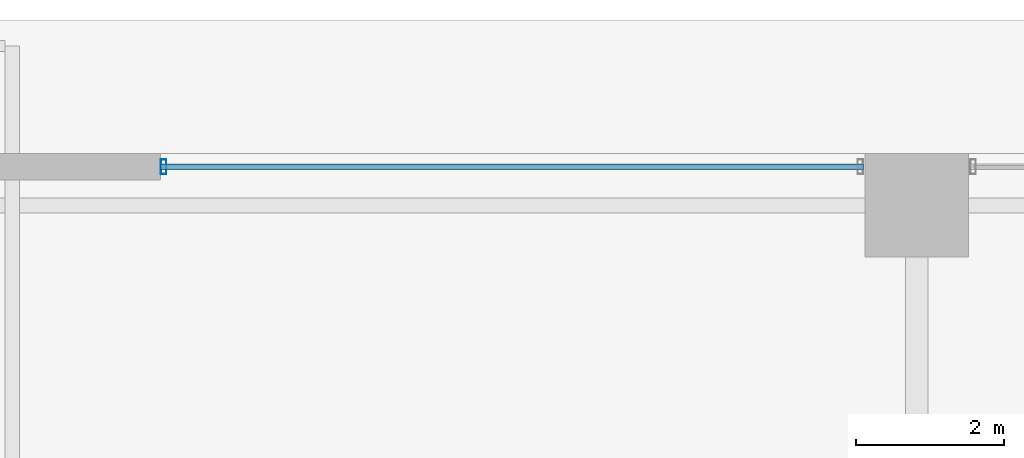
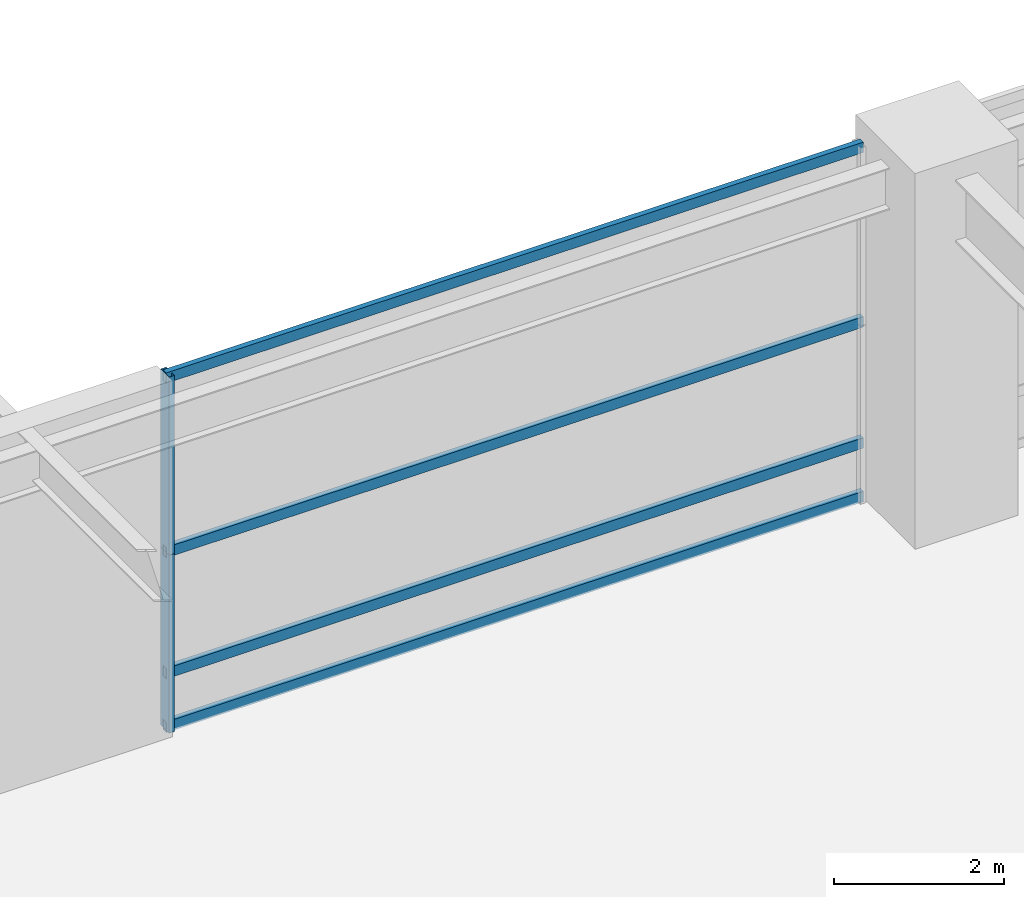
# One storey, part 14 of 32: 6 members, 1 element without a shape of its own.
"""IFC4 building model written with IfcOpenShell, lengths in metres."""

import ifcopenshell
import ifcopenshell.guid

model = None  # the IFC model being written
_history = None  # IfcOwnerHistory: only IFC2X3 demands one
_inside = {}  # id of a spatial element -> (the spatial element, [elements in it])
_under = {}  # id of a project, library or spatial element -> (it, [spatial elements below it])
_declared = {}  # id of a project -> (the project, [libraries it declares])
_typed = {}  # id of a type object -> (the type object, [elements of that type])
_made_of = {}  # id of a material, layer set ... -> (it, [elements and type objects made of it])


def new_model(schema):
    """Start an empty IFC model of exactly this schema.

    Asked for "IFC4X3", IfcOpenShell would pick the latest addendum, in which some entities
    have other attributes; the version numbers below select the first issue.
    IFC2X3 requires an IfcOwnerHistory on every rooted entity: one is made here for all.
    """
    global model, _history
    if schema == "IFC4X3":
        model = ifcopenshell.file(schema_version=(4, 3, 0, 0))
    else:
        model = ifcopenshell.file(schema=schema)
    _inside.clear()
    _under.clear()
    _declared.clear()
    _typed.clear()
    _made_of.clear()
    _history = None
    if model.schema == "IFC2X3":
        org = make("IfcOrganization", Name="unknown")
        user = make(
            "IfcPersonAndOrganization",
            ThePerson=make("IfcPerson", FamilyName="unknown"),
            TheOrganization=org,
        )
        app = make(
            "IfcApplication",
            ApplicationDeveloper=org,
            Version="unknown",
            ApplicationFullName="unknown",
            ApplicationIdentifier="unknown",
        )
        _history = make(
            "IfcOwnerHistory",
            OwningUser=user,
            OwningApplication=app,
            ChangeAction="ADDED",
            CreationDate=0,
        )
    return model


def make(cls, **values):
    """One entity of the class cls with the attributes given. An attribute that is None is left unset."""
    return model.create_entity(
        cls, **{name: value for name, value in values.items() if value is not None}
    )


def rooted(cls, **values):
    """An entity with a GlobalId (a new one), such as an element, a storey or a relation."""
    return make(cls, GlobalId=ifcopenshell.guid.new(), OwnerHistory=_history, **values)


def si_unit(unit_type, name, prefix=None):
    """IfcSIUnit, for example si_unit("LENGTHUNIT", "METRE", prefix="MILLI")."""
    return make("IfcSIUnit", UnitType=unit_type, Prefix=prefix, Name=name)


def assignment(units):
    """IfcUnitAssignment: the units of a project."""
    return None if units is None else make("IfcUnitAssignment", Units=units)


def point(xyz):
    """IfcCartesianPoint."""
    return None if xyz is None else make("IfcCartesianPoint", Coordinates=xyz)


def direction(xyz):
    """IfcDirection."""
    return None if xyz is None else make("IfcDirection", DirectionRatios=xyz)


def frame(location, z_axis=None, x_axis=None):
    """IfcAxis2Placement3D, a coordinate frame: its origin and axes. An axis left out is left unset."""
    return make(
        "IfcAxis2Placement3D",
        Location=point(location),
        Axis=direction(z_axis),
        RefDirection=direction(x_axis),
    )


def frame_2d(location, x_axis=None):
    """IfcAxis2Placement2D, a coordinate frame in the plane: its origin and x axis."""
    return make(
        "IfcAxis2Placement2D", Location=point(location), RefDirection=direction(x_axis)
    )


def origin():
    """The frame at (0, 0, 0) with its axes left unset."""
    return frame((0.0, 0.0, 0.0))


def origin_2d():
    """The frame at (0, 0) in the plane with its x axis left unset."""
    return frame_2d((0.0, 0.0))


def place(relative_to, where):
    """IfcLocalPlacement: puts the frame where relative to a parent placement (None: the world)."""
    return make(
        "IfcLocalPlacement", PlacementRelTo=relative_to, RelativePlacement=where
    )


def context(
    kind, dimensions, precision=None, world=None, true_north=None, identifier=None
):
    """IfcGeometricRepresentationContext, for example the 3D "Model" context."""
    return make(
        "IfcGeometricRepresentationContext",
        ContextIdentifier=identifier,
        ContextType=kind,
        CoordinateSpaceDimension=dimensions,
        Precision=precision,
        WorldCoordinateSystem=world,
        TrueNorth=true_north,
    )


def subcontext(parent, identifier, kind, view, scale=None):
    """IfcGeometricRepresentationSubContext, for example "Body" below "Model"."""
    return make(
        "IfcGeometricRepresentationSubContext",
        ContextIdentifier=identifier,
        ContextType=kind,
        ParentContext=parent,
        TargetScale=scale,
        TargetView=view,
    )


def project(units=None, contexts=None):
    """IfcProject with its units and contexts."""
    return rooted(
        "IfcProject",
        Name="project",
        RepresentationContexts=contexts,
        UnitsInContext=assignment(units),
    )


def spatial(cls, under=None, at=None, **own):
    """A site, building, storey or space (cls), placed at a placement, below another one or the project."""
    s = rooted(cls, ObjectPlacement=at, **own)
    if under is not None:
        _under.setdefault(under.id(), (under, []))[1].append(s)
    return s


def profile(cls, at=None, kind="AREA", **sizes):
    """A parametric profile (cls). Its sizes go by their IFC names, for example OverallWidth=200.0."""
    return make(cls, ProfileType=kind, Position=at, **sizes)


def hollow_rectangle(**sizes):
    """IfcRectangleHollowProfileDef."""
    return profile("IfcRectangleHollowProfileDef", **sizes)


def extrude(swept, where, along, depth):
    """IfcExtrudedAreaSolid: the profile swept, set in the frame where, extruded along a direction by depth."""
    return make(
        "IfcExtrudedAreaSolid",
        SweptArea=swept,
        Position=where,
        ExtrudedDirection=direction(along),
        Depth=depth,
    )


def shape(context_of_items, identifier, shape_type, items):
    """IfcShapeRepresentation: the items that make up one representation, for example the "Body"."""
    return make(
        "IfcShapeRepresentation",
        ContextOfItems=context_of_items,
        RepresentationIdentifier=identifier,
        RepresentationType=shape_type,
        Items=items,
    )


def source(mapping_origin, context_of_items, identifier, shape_type, items):
    """IfcRepresentationMap: a shape defined once, which mapped items show again and again."""
    return make(
        "IfcRepresentationMap",
        MappingOrigin=mapping_origin,
        MappedRepresentation=shape(context_of_items, identifier, shape_type, items),
    )


def transform(
    local_origin,
    x_axis=None,
    y_axis=None,
    z_axis=None,
    scale=None,
    scale2=None,
    scale3=None,
    uniform=True,
):
    """IfcCartesianTransformationOperator3D, or its non-uniform kind. x_axis, y_axis, z_axis: its Axis1, 2, 3."""
    if uniform:
        return make(
            "IfcCartesianTransformationOperator3D",
            Axis1=direction(x_axis),
            Axis2=direction(y_axis),
            LocalOrigin=point(local_origin),
            Scale=scale,
            Axis3=direction(z_axis),
        )
    return make(
        "IfcCartesianTransformationOperator3DnonUniform",
        Axis1=direction(x_axis),
        Axis2=direction(y_axis),
        LocalOrigin=point(local_origin),
        Scale=scale,
        Axis3=direction(z_axis),
        Scale2=scale2,
        Scale3=scale3,
    )


def mapped(mapping_source, mapping_target):
    """IfcMappedItem: shows the shape of a source again, moved by a transform."""
    return make(
        "IfcMappedItem", MappingSource=mapping_source, MappingTarget=mapping_target
    )


def material(Name=None, Category=None):
    """IfcMaterial."""
    return make("IfcMaterial", Name=Name, Category=Category)


def layer(
    of_material, thickness, ventilated=None, Name=None, Category=None, Priority=None
):
    """IfcMaterialLayer: one layer of a wall or slab, of a material (None: an air gap)."""
    return make(
        "IfcMaterialLayer",
        Material=of_material,
        LayerThickness=thickness,
        IsVentilated=ventilated,
        Name=Name,
        Category=Category,
        Priority=Priority,
    )


def layer_set(layers, Name=None):
    """IfcMaterialLayerSet."""
    return make("IfcMaterialLayerSet", MaterialLayers=layers, LayerSetName=Name)


def material_profile(
    of_material, cross_section, Name=None, Category=None, Priority=None
):
    """IfcMaterialProfile: a cross section and its material."""
    return make(
        "IfcMaterialProfile",
        Name=Name,
        Material=of_material,
        Profile=cross_section,
        Priority=Priority,
        Category=Category,
    )


def profile_set(profiles, Name=None, composite=None):
    """IfcMaterialProfileSet."""
    return make(
        "IfcMaterialProfileSet",
        Name=Name,
        MaterialProfiles=profiles,
        CompositeProfile=composite,
    )


def made_of(thing, what):
    """Note that an element or type object is made of a material, layer set ...; save() writes the relation."""
    if what is not None:
        _made_of.setdefault(what.id(), (what, []))[1].append(thing)
    return thing


def type_object(cls, material=None, **own):
    """A type object (cls), such as IfcWallType, which elements share."""
    return made_of(rooted(cls, **own), material)


def element(
    cls,
    number,
    at=None,
    inside=None,
    cuts=None,
    type_object=None,
    material=None,
    context=None,
    identifier="Body",
    shape_type=None,
    held_by="IfcProductDefinitionShape",
    body=None,
    shapes=None,
    **own,
):
    """One element of the class cls, such as IfcWall. Its Tag is "e" and its number.

    at: its placement. inside: the storey or other place that contains it. cuts: it is an
    opening in that element (IfcRelVoidsElement). A single representation is given by context,
    identifier, shape_type and body (its items); several are given by shapes. held_by: the class
    of the entity that holds the representations. save() writes the other relations.
    """
    e = rooted(cls, Tag="e%d" % number, ObjectPlacement=at, **own)
    if body is not None:
        shapes = [shape(context, identifier, shape_type, body)]
    if shapes is not None:
        e.Representation = make(held_by, Representations=shapes)
    if inside is not None:
        _inside.setdefault(inside.id(), (inside, []))[1].append(e)
    if cuts is not None:
        rooted(
            "IfcRelVoidsElement", RelatingBuildingElement=cuts, RelatedOpeningElement=e
        )
    if type_object is not None:
        _typed.setdefault(type_object.id(), (type_object, []))[1].append(e)
    return made_of(e, material)


def aggregate(whole, parts):
    """IfcRelAggregates: a whole, such as a stair, and the parts it consists of."""
    return rooted("IfcRelAggregates", RelatingObject=whole, RelatedObjects=parts)


def save(model, path):
    """Write the relations noted so far, then the file.

    IfcRelAggregates (storeys below a building ...), IfcRelContainedInSpatialStructure (elements
    in a storey), IfcRelDefinesByType, IfcRelAssociatesMaterial and IfcRelDeclares: one each for
    every whole, place, type object, material and project.
    """
    for whole, parts in _under.values():
        aggregate(whole, parts)
    for where, things in _inside.values():
        rooted(
            "IfcRelContainedInSpatialStructure",
            RelatedElements=things,
            RelatingStructure=where,
        )
    for kind, things in _typed.values():
        rooted("IfcRelDefinesByType", RelatedObjects=things, RelatingType=kind)
    for what, things in _made_of.values():
        rooted("IfcRelAssociatesMaterial", RelatedObjects=things, RelatingMaterial=what)
    for by, libraries in _declared.values():
        rooted("IfcRelDeclares", RelatingContext=by, RelatedDefinitions=libraries)
    model.write(path)


model = new_model("IFC4")

# Units and contexts
model_context = context("Model", 3, precision=1e-05, world=origin(), true_north=direction((0.0, 1.0)))
body_context = subcontext(model_context, "Body", "Model", "MODEL_VIEW")
ifc_project = project(units=[si_unit("LENGTHUNIT", "METRE"), si_unit("AREAUNIT", "SQUARE_METRE"), si_unit("VOLUMEUNIT", "CUBIC_METRE"), si_unit("PLANEANGLEUNIT", "RADIAN"), si_unit("MASSUNIT", "GRAM", prefix="KILO"), si_unit("THERMODYNAMICTEMPERATUREUNIT", "KELVIN"), si_unit("POWERUNIT", "WATT")], contexts=[model_context])

# Site, building, storey
site_placement = place(None, origin())
site = spatial("IfcSite", under=ifc_project, at=site_placement, CompositionType="ELEMENT")
building_placement = place(site_placement, origin())
building = spatial("IfcBuilding", under=site, at=building_placement, Name="Yuzanri Waterfront Tower", CompositionType="ELEMENT")
storey_placement = place(building_placement, origin())
storey = spatial("IfcBuildingStorey", under=building, at=storey_placement, Name="L01", CompositionType="ELEMENT", Elevation=0.0)

# Curtain wall, members
ifc_material_1 = material(Name="Anodized Architectural Bronze", Category="metal")
ifc_layer = layer(ifc_material_1, 0.159912109375)
ifc_layer_set = layer_set([ifc_layer], Name="Anodized Architectural Bronze")
curtain_wall_type = type_object("IfcCurtainWallType", Name="Anodized Bronze Podium Waterfront Double-Height Unitized Curtain Wall 8400", PredefinedType="NOTDEFINED", material=ifc_layer_set)
curtain_wall_placement = place(storey_placement, origin())
curtain_wall = element("IfcCurtainWall", 1, at=curtain_wall_placement, inside=storey, type_object=curtain_wall_type, Name="L01 Curtain Wall CW-L01-N1", PredefinedType="NOTDEFINED")
ifc_material_2 = material(Name="Anodized Architectural Bronze", Category="metal")
ifc_material_profile_1 = material_profile(ifc_material_2, hollow_rectangle(XDim=0.074951171875, YDim=0.199951171875, WallThickness=0.00390625, at=origin_2d()), Name="CWM 75x200")
ifc_profile_set_1 = profile_set([ifc_material_profile_1], Name="Anodized Architectural Bronze")
member_type_1 = type_object("IfcMemberType", Name="Anodized Bronze Primary Curtain-Wall Mullion 75x200", PredefinedType="MULLION", material=ifc_profile_set_1)
shared_shape_1 = source(origin(), body_context, "Body", "SweptSolid", [
    extrude(hollow_rectangle(XDim=0.074951171875, YDim=0.199951171875, WallThickness=0.00390625, at=origin_2d()), origin(), (0.0, 0.0, 1.0), 2.55810546875),
])
member_1_placement = place(storey_placement, frame((26.840087890625, 49.6201171875, 0.0), z_axis=(0.0, 0.0, 1.0), x_axis=(1.0, 0.0, 0.0)))
member_1 = element("IfcMember", 2, at=member_1_placement, type_object=member_type_1, Name="CW-L01-N1 Lower Mullion 00", PredefinedType="MULLION", context=body_context, shape_type="MappedRepresentation", body=[
    mapped(shared_shape_1, transform((0.0, 0.0, 0.0), scale=1.0)),
])
member_2_placement = place(storey_placement, frame((26.840087890625, 49.6201171875, 2.56201171875), z_axis=(0.0, 0.0, 1.0), x_axis=(1.0, 0.0, 0.0)))
member_2 = element("IfcMember", 3, at=member_2_placement, type_object=member_type_1, Name="CW-L01-N1 Upper Mullion 00", PredefinedType="MULLION", context=body_context, shape_type="MappedRepresentation", body=[
    mapped(shared_shape_1, transform((0.0, 0.0, 0.0), scale=1.0)),
])
ifc_material_3 = material(Name="Anodized Architectural Bronze", Category="metal")
ifc_material_profile_2 = material_profile(ifc_material_3, hollow_rectangle(XDim=0.074951171875, YDim=0.14990234375, WallThickness=0.00390625, at=origin_2d()), Name="CWT 75x150")
ifc_profile_set_2 = profile_set([ifc_material_profile_2], Name="Anodized Architectural Bronze")
member_type_2 = type_object("IfcMemberType", Name="Anodized Bronze Primary Curtain-Wall Transom 75x150", PredefinedType="USERDEFINED", material=ifc_profile_set_2)
shared_shape_2 = source(origin(), body_context, "Body", "SweptSolid", [
    extrude(hollow_rectangle(XDim=0.074951171875, YDim=0.14990234375, WallThickness=0.00390625, at=origin_2d()), origin(), (0.0, 0.0, 1.0), 9.47998046875),
])
member_3_placement = place(storey_placement, frame((26.800048828125, 49.6201171875, 0.050048828125), z_axis=(1.0, 0.0, 0.0), x_axis=(0.0, 1.0, 0.0)))
member_3 = element("IfcMember", 4, at=member_3_placement, type_object=member_type_2, Name="CW-L01-N1 Transom 1", ObjectType="TRANSOM", PredefinedType="USERDEFINED", context=body_context, shape_type="MappedRepresentation", body=[
    mapped(shared_shape_2, transform((0.0, 0.0, 0.0), scale=1.0)),
])
member_4_placement = place(storey_placement, frame((26.800048828125, 49.6201171875, 0.820068359375), z_axis=(1.0, 0.0, 0.0), x_axis=(0.0, 1.0, 0.0)))
member_4 = element("IfcMember", 5, at=member_4_placement, type_object=member_type_2, Name="CW-L01-N1 Transom 2", ObjectType="TRANSOM", PredefinedType="USERDEFINED", context=body_context, shape_type="MappedRepresentation", body=[
    mapped(shared_shape_2, transform((0.0, 0.0, 0.0), scale=1.0)),
])
member_5_placement = place(storey_placement, frame((26.800048828125, 49.6201171875, 2.56005859375), z_axis=(1.0, 0.0, 0.0), x_axis=(0.0, 1.0, 0.0)))
member_5 = element("IfcMember", 6, at=member_5_placement, type_object=member_type_2, Name="CW-L01-N1 Transom 3", ObjectType="TRANSOM", PredefinedType="USERDEFINED", context=body_context, shape_type="MappedRepresentation", body=[
    mapped(shared_shape_2, transform((0.0, 0.0, 0.0), scale=1.0)),
])
member_6_placement = place(storey_placement, frame((26.800048828125, 49.6201171875, 5.070068359375), z_axis=(1.0, 0.0, 0.0), x_axis=(0.0, 1.0, 0.0)))
member_6 = element("IfcMember", 7, at=member_6_placement, type_object=member_type_2, Name="CW-L01-N1 Transom 4", ObjectType="TRANSOM", PredefinedType="USERDEFINED", context=body_context, shape_type="MappedRepresentation", body=[
    mapped(shared_shape_2, transform((0.0, 0.0, 0.0), scale=1.0)),
])
aggregate(curtain_wall, [member_1, member_2, member_3, member_4, member_5, member_6])

save(model, "model.ifc")
